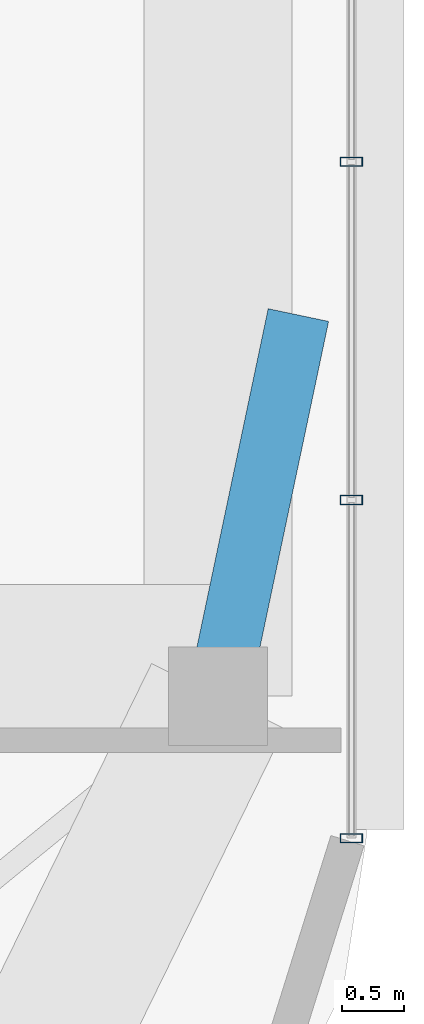
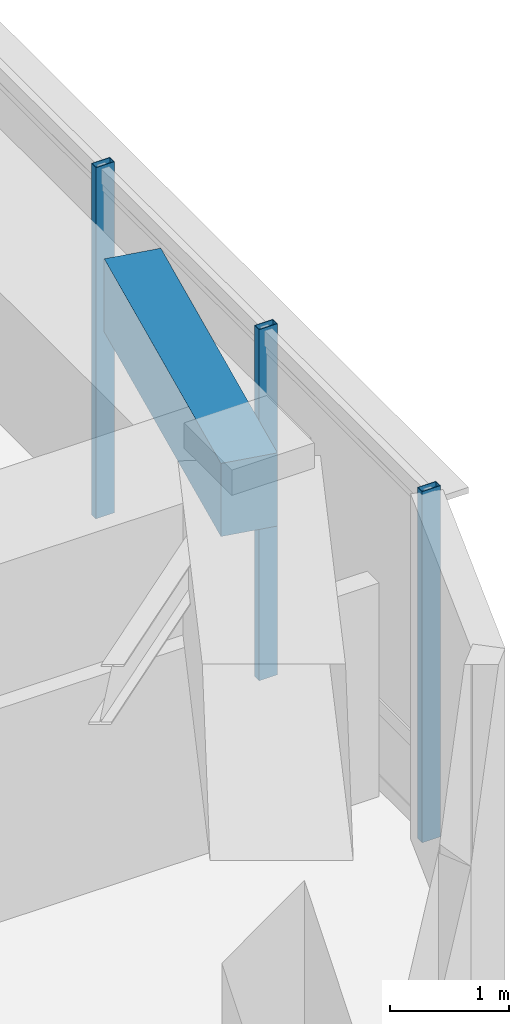
# One storey, part 2 of 15: 3 members, 1 beam, 1 element without a shape of its own.
"""IFC4 building model written with IfcOpenShell, lengths in metres."""

from ifc_helpers import new_model, si_unit, direction, frame, origin, origin_2d, place, context, subcontext, project, spatial, rectangle, hollow_rectangle, extrude, material, material_profile, profile_set, type_object, element, aggregate, save


model = new_model("IFC4")

# Units and contexts
model_context = context("Model", 3, precision=1e-05, world=origin(), true_north=direction((0.0, 1.0)))
body_context = subcontext(model_context, "Body", "Model", "MODEL_VIEW")
ifc_project = project(units=[si_unit("LENGTHUNIT", "METRE"), si_unit("AREAUNIT", "SQUARE_METRE"), si_unit("VOLUMEUNIT", "CUBIC_METRE"), si_unit("PLANEANGLEUNIT", "RADIAN"), si_unit("MASSUNIT", "GRAM", prefix="KILO")], contexts=[model_context])

# Site, building, storey
site_placement = place(None, origin())
site = spatial("IfcSite", under=ifc_project, at=site_placement, CompositionType="ELEMENT")
building_placement = place(site_placement, origin())
building = spatial("IfcBuilding", under=site, at=building_placement, Name="Zulverin Broadcast Headquarters", CompositionType="ELEMENT")
storey_placement = place(building_placement, frame((0.0, 0.0, 270.60009765625)))
storey = spatial("IfcBuildingStorey", under=building, at=storey_placement, Name="L69", CompositionType="ELEMENT", Elevation=270.60009765625)

# Beam
ifc_material_1 = material(Name="Concrete C40/50", Category="concrete")
ifc_material_profile_1 = material_profile(ifc_material_1, rectangle(XDim=0.5, YDim=0.75, at=origin_2d()), Name="Concrete C40/50", Category="concrete")
ifc_profile_set_1 = profile_set([ifc_material_profile_1], Name="Concrete C40/50")
beam_type = type_object("IfcBeamType", Name="BM-RC-500x750", PredefinedType="BEAM", material=ifc_profile_set_1)
beam_placement = place(storey_placement, frame((64.300048828125, 17.40771484375, 3.164794921875), z_axis=(0.206096321722, 0.978531709334, 0.0), x_axis=(-0.978531709334, 0.206096321722, 0.0)))
element("IfcBeam", 1, at=beam_placement, inside=storey, type_object=beam_type, Name="L70 Balcony Column-Framed Cantilever BAL_E-1", PredefinedType="BEAM", context=body_context, shape_type="SweptSolid", body=[
    extrude(rectangle(XDim=0.5, YDim=0.75, at=origin_2d()), origin(), (0.0, 0.0, 1.0), 3.1533203125),
])

# Curtain wall, members
ifc_material_2 = material(Name="High-zone solar-control unitised curtain wall", Category="aluminium")
curtain_wall_type = type_object("IfcCurtainWallType", Name="CW-TWR-UPP", PredefinedType="USERDEFINED", material=ifc_material_2)
curtain_wall_placement = place(storey_placement, origin())
curtain_wall = element("IfcCurtainWall", 2, at=curtain_wall_placement, inside=storey, type_object=curtain_wall_type, Name="L69 Unitised Curtain Wall CW-L69-E3", ObjectType="UNITISED CURTAIN WALL", PredefinedType="USERDEFINED")
ifc_material_3 = material(Name="Anodized pale-metal aluminium alloy 6063-T6", Category="aluminium")
ifc_material_profile_2 = material_profile(ifc_material_3, hollow_rectangle(XDim=0.074951171875, YDim=0.179931640625, WallThickness=0.0048828125, at=origin_2d()), Name="Anodized pale-metal aluminium alloy 6063-T6", Category="aluminium")
ifc_profile_set_2 = profile_set([ifc_material_profile_2], Name="Anodized pale-metal aluminium alloy 6063-T6")
member_type = type_object("IfcMemberType", Name="CW-MUL-180", PredefinedType="MULLION", material=ifc_profile_set_2)
member_1_placement = place(storey_placement, frame((65.3798828125, 16.2578125, -0.030029296875), z_axis=(0.0, 0.0, 1.0), x_axis=(0.0, 1.0, 0.0)))
member_1 = element("IfcMember", 3, at=member_1_placement, type_object=member_type, Name="CW-L69-E3 Mullion 00", PredefinedType="MULLION", context=body_context, shape_type="SweptSolid", body=[
    extrude(hollow_rectangle(XDim=0.074951171875, YDim=0.179931640625, WallThickness=0.0048828125, at=origin_2d()), origin(), (0.0, 0.0, 1.0), 3.599853515625),
])
member_2_placement = place(storey_placement, frame((65.3798828125, 18.99609375, -0.030029296875), z_axis=(0.0, 0.0, 1.0), x_axis=(0.0, 1.0, 0.0)))
member_2 = element("IfcMember", 4, at=member_2_placement, type_object=member_type, Name="CW-L69-E3 Mullion 01", PredefinedType="MULLION", context=body_context, shape_type="SweptSolid", body=[
    extrude(hollow_rectangle(XDim=0.074951171875, YDim=0.179931640625, WallThickness=0.0048828125, at=origin_2d()), origin(), (0.0, 0.0, 1.0), 3.599853515625),
])
member_3_placement = place(storey_placement, frame((65.3798828125, 21.734375, -0.030029296875), z_axis=(0.0, 0.0, 1.0), x_axis=(0.0, 1.0, 0.0)))
member_3 = element("IfcMember", 5, at=member_3_placement, type_object=member_type, Name="CW-L69-E3 Mullion 02", PredefinedType="MULLION", context=body_context, shape_type="SweptSolid", body=[
    extrude(hollow_rectangle(XDim=0.074951171875, YDim=0.179931640625, WallThickness=0.0048828125, at=origin_2d()), origin(), (0.0, 0.0, 1.0), 3.599853515625),
])
aggregate(curtain_wall, [member_1, member_2, member_3])

save(model, "model.ifc")
